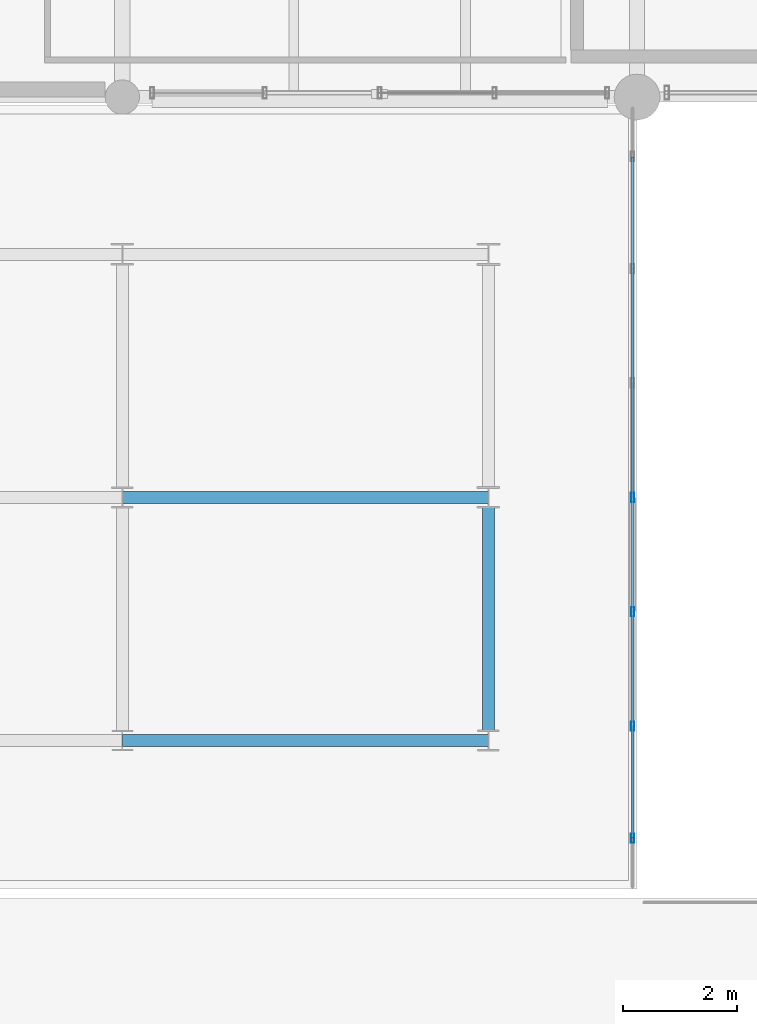
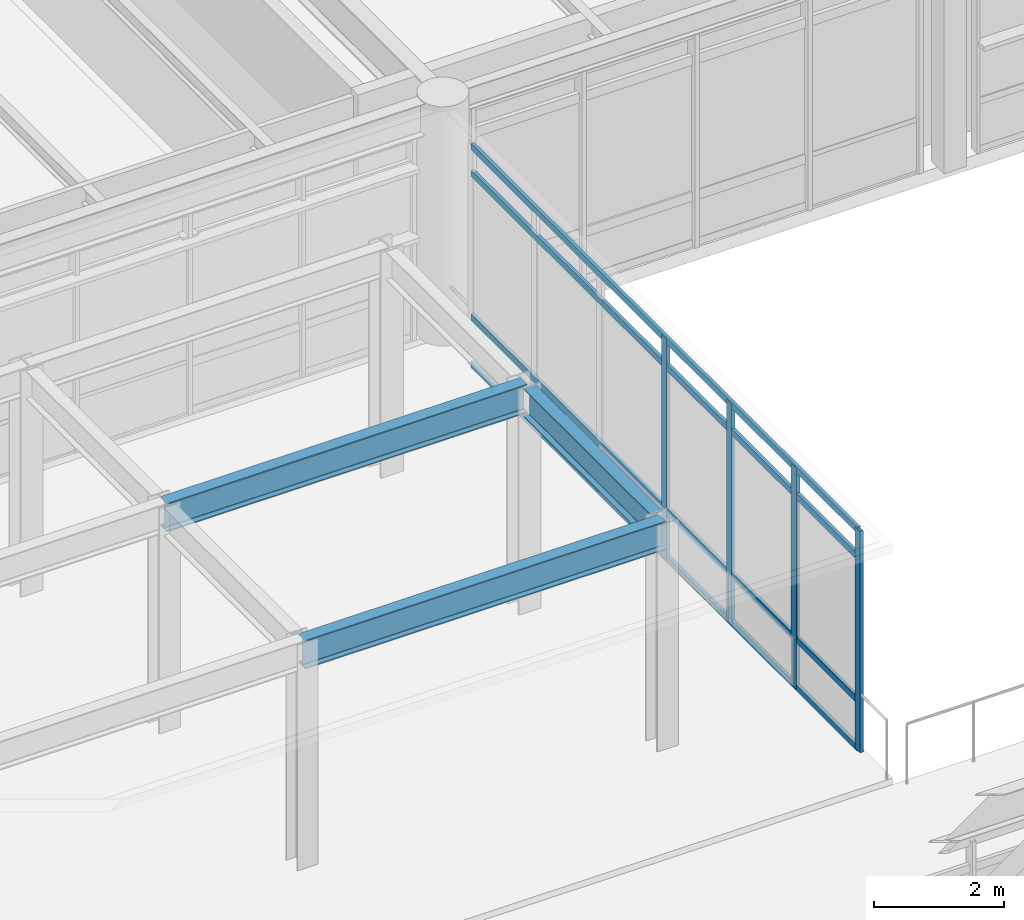
# One storey, part 74 of 200: 8 members, 3 beams, 1 element without a shape of its own.
"""IFC4 building model written with IfcOpenShell, lengths in metres."""

from ifc_helpers import new_model, si_unit, direction, frame, origin, origin_2d, place, context, subcontext, project, spatial, hollow_rectangle, i_section, extrude, material, material_profile, profile_set, type_object, element, aggregate, save


model = new_model("IFC4")

# Units and contexts
model_context = context("Model", 3, precision=1e-05, world=origin(), true_north=direction((0.0, 1.0)))
body_context = subcontext(model_context, "Body", "Model", "MODEL_VIEW")
ifc_project = project(units=[si_unit("LENGTHUNIT", "METRE"), si_unit("AREAUNIT", "SQUARE_METRE"), si_unit("VOLUMEUNIT", "CUBIC_METRE"), si_unit("PLANEANGLEUNIT", "RADIAN"), si_unit("MASSUNIT", "GRAM", prefix="KILO"), si_unit("THERMODYNAMICTEMPERATUREUNIT", "KELVIN"), si_unit("POWERUNIT", "WATT")], contexts=[model_context])

# Site, building, storey
site_placement = place(None, origin())
site = spatial("IfcSite", under=ifc_project, at=site_placement, CompositionType="ELEMENT")
building_placement = place(site_placement, origin())
building = spatial("IfcBuilding", under=site, at=building_placement, Name="Tepalcoro Natatorium and Aquatics Centre", CompositionType="ELEMENT")
storey_placement = place(building_placement, frame((0.0, 0.0, 5.39990234375)))
storey = spatial("IfcBuildingStorey", under=building, at=storey_placement, Name="L01", CompositionType="ELEMENT", Elevation=5.39990234375)

# Beams
ifc_material_1 = material(Name="Steel ASTM A992 Grade 50 (Fy 345 MPa)", Category="steel")
ifc_material_profile_1 = material_profile(ifc_material_1, i_section(OverallWidth=0.2109375, OverallDepth=0.5380859375, WebThickness=0.011962890625, FlangeThickness=0.01904296875, FilletRadius=0.013916015625, at=origin_2d()), Name="W21X73")
ifc_profile_set_1 = profile_set([ifc_material_profile_1], Name="Steel ASTM A992 Grade 50 (Fy 345 MPa)")
beam_type = type_object("IfcBeamType", Name="BM_LINK_LB1", PredefinedType="BEAM", material=ifc_profile_set_1)
for number, where, z_axis, x_axis, name in (
    (1, (62.0, 74.75, 3.9560546875), (1.0, 0.0, 0.0), (0.0, 1.0, 0.0), "Seismic passage link beam LB1 (V6NW L01)"),
    (2, (62.0, 79.0, 3.9560546875), (1.0, 0.0, 0.0), (0.0, 1.0, 0.0), "Seismic passage link beam LB1 (V6NW L01)"),
):
    element("IfcBeam", number, at=place(storey_placement, frame(where, z_axis=z_axis, x_axis=x_axis)), inside=storey, type_object=beam_type, Name=name, PredefinedType="BEAM", context=body_context, shape_type="SweptSolid", body=[
        extrude(i_section(OverallWidth=0.2109375, OverallDepth=0.5380859375, WebThickness=0.011962890625, FlangeThickness=0.01904296875, FilletRadius=0.013916015625, at=origin_2d()), origin(), (0.0, 0.0, 1.0), 6.39990234375),
    ])
beam_placement = place(storey_placement, frame((68.39990234375, 74.9130859375, 3.9560546875), z_axis=(0.0, 1.0, 0.0), x_axis=(-1.0, 0.0, 0.0)))
element("IfcBeam", 3, at=beam_placement, inside=storey, type_object=beam_type, Name="Seismic passage link beam LB1 (V6NW L01)", PredefinedType="BEAM", context=body_context, shape_type="SweptSolid", body=[
    extrude(i_section(OverallWidth=0.2109375, OverallDepth=0.5380859375, WebThickness=0.011962890625, FlangeThickness=0.01904296875, FilletRadius=0.013916015625, at=origin_2d()), origin(), (0.0, 0.0, 1.0), 3.919921875),
])

# Curtain wall, members
ifc_material_2 = material(Name="Bronze-Anodised Extruded Aluminium Alloy EN AW-6063 T6", Category="aluminium")
curtain_wall_type = type_object("IfcCurtainWallType", Name="CW_LINK_150", PredefinedType="USERDEFINED", material=ifc_material_2)
curtain_wall_placement = place(storey_placement, origin())
curtain_wall = element("IfcCurtainWall", 4, at=curtain_wall_placement, inside=storey, type_object=curtain_wall_type, Name="West Court Swimmers Arcade Glazed Wall E L01", ObjectType="UNITISED STOREFRONT", PredefinedType="USERDEFINED")
ifc_material_profile_2 = material_profile(ifc_material_2, hollow_rectangle(XDim=0.06005859375, YDim=0.159912109375, WallThickness=0.00390625, at=origin_2d()), Name="AL60X160X4")
ifc_profile_set_2 = profile_set([ifc_material_profile_2], Name="Bronze-Anodised Extruded Aluminium Alloy EN AW-6063 T6")
member_type_1 = type_object("IfcMemberType", Name="CW_MUL_60x160", PredefinedType="MULLION", material=ifc_profile_set_2)
member_1_placement = place(storey_placement, frame((70.919921875, 73.0400390625, 0.02001953125), z_axis=(0.0, 0.0, 1.0), x_axis=(1.0, 0.0, 0.0)))
member_1 = element("IfcMember", 5, at=member_1_placement, type_object=member_type_1, Name="CW_LINK_150 Curtain Wall Mullion", PredefinedType="MULLION", context=body_context, shape_type="SweptSolid", body=[
    extrude(hollow_rectangle(XDim=0.06005859375, YDim=0.159912109375, WallThickness=0.00390625, at=origin_2d()), origin(), (0.0, 0.0, 1.0), 4.16015625),
])
member_2_placement = place(storey_placement, frame((70.919921875, 75.0, 0.02001953125), z_axis=(0.0, 0.0, 1.0), x_axis=(1.0, 0.0, 0.0)))
member_2 = element("IfcMember", 6, at=member_2_placement, type_object=member_type_1, Name="CW_LINK_150 Curtain Wall Mullion", PredefinedType="MULLION", context=body_context, shape_type="SweptSolid", body=[
    extrude(hollow_rectangle(XDim=0.06005859375, YDim=0.159912109375, WallThickness=0.00390625, at=origin_2d()), origin(), (0.0, 0.0, 1.0), 4.16015625),
])
member_3_placement = place(storey_placement, frame((70.919921875, 77.0, 0.02001953125), z_axis=(0.0, 0.0, 1.0), x_axis=(1.0, 0.0, 0.0)))
member_3 = element("IfcMember", 7, at=member_3_placement, type_object=member_type_1, Name="CW_LINK_150 Curtain Wall Mullion", PredefinedType="MULLION", context=body_context, shape_type="SweptSolid", body=[
    extrude(hollow_rectangle(XDim=0.06005859375, YDim=0.159912109375, WallThickness=0.00390625, at=origin_2d()), origin(), (0.0, 0.0, 1.0), 4.16015625),
])
member_4_placement = place(storey_placement, frame((70.919921875, 79.0, 0.02001953125), z_axis=(0.0, 0.0, 1.0), x_axis=(1.0, 0.0, 0.0)))
member_4 = element("IfcMember", 8, at=member_4_placement, type_object=member_type_1, Name="CW_LINK_150 Curtain Wall Mullion", PredefinedType="MULLION", context=body_context, shape_type="SweptSolid", body=[
    extrude(hollow_rectangle(XDim=0.06005859375, YDim=0.159912109375, WallThickness=0.00390625, at=origin_2d()), origin(), (0.0, 0.0, 1.0), 4.16015625),
])
ifc_material_profile_3 = material_profile(ifc_material_2, hollow_rectangle(XDim=0.06005859375, YDim=0.1201171875, WallThickness=0.00390625, at=origin_2d()), Name="AL60X120X4")
ifc_profile_set_3 = profile_set([ifc_material_profile_3], Name="Bronze-Anodised Extruded Aluminium Alloy EN AW-6063 T6")
member_type_2 = type_object("IfcMemberType", Name="CW_TRN_60x120", PredefinedType="USERDEFINED", material=ifc_profile_set_3)
member_5_placement = place(storey_placement, frame((70.919921875, 73.050048828125, 0.050048828125), z_axis=(0.0, 1.0, 0.0), x_axis=(-1.0, 0.0, 0.0)))
member_5 = element("IfcMember", 9, at=member_5_placement, type_object=member_type_2, Name="CW_LINK_150 Curtain Wall Transom", ObjectType="TRANSOM", PredefinedType="USERDEFINED", context=body_context, shape_type="SweptSolid", body=[
    extrude(hollow_rectangle(XDim=0.06005859375, YDim=0.1201171875, WallThickness=0.00390625, at=origin_2d()), origin(), (0.0, 0.0, 1.0), 11.89990234375),
])
member_6_placement = place(storey_placement, frame((70.919921875, 73.050048828125, 0.9501953125), z_axis=(0.0, 1.0, 0.0), x_axis=(-1.0, 0.0, 0.0)))
member_6 = element("IfcMember", 10, at=member_6_placement, type_object=member_type_2, Name="CW_LINK_150 Curtain Wall Transom", ObjectType="TRANSOM", PredefinedType="USERDEFINED", context=body_context, shape_type="SweptSolid", body=[
    extrude(hollow_rectangle(XDim=0.06005859375, YDim=0.1201171875, WallThickness=0.00390625, at=origin_2d()), origin(), (0.0, 0.0, 1.0), 11.89990234375),
])
member_7_placement = place(storey_placement, frame((70.919921875, 73.050048828125, 3.650146484375), z_axis=(0.0, 1.0, 0.0), x_axis=(-1.0, 0.0, 0.0)))
member_7 = element("IfcMember", 11, at=member_7_placement, type_object=member_type_2, Name="CW_LINK_150 Curtain Wall Transom", ObjectType="TRANSOM", PredefinedType="USERDEFINED", context=body_context, shape_type="SweptSolid", body=[
    extrude(hollow_rectangle(XDim=0.06005859375, YDim=0.1201171875, WallThickness=0.00390625, at=origin_2d()), origin(), (0.0, 0.0, 1.0), 11.89990234375),
])
member_8_placement = place(storey_placement, frame((70.919921875, 73.050048828125, 4.150146484375), z_axis=(0.0, 1.0, 0.0), x_axis=(-1.0, 0.0, 0.0)))
member_8 = element("IfcMember", 12, at=member_8_placement, type_object=member_type_2, Name="CW_LINK_150 Curtain Wall Transom", ObjectType="TRANSOM", PredefinedType="USERDEFINED", context=body_context, shape_type="SweptSolid", body=[
    extrude(hollow_rectangle(XDim=0.06005859375, YDim=0.1201171875, WallThickness=0.00390625, at=origin_2d()), origin(), (0.0, 0.0, 1.0), 11.89990234375),
])
aggregate(curtain_wall, [member_1, member_2, member_3, member_4, member_5, member_6, member_7, member_8])

save(model, "model.ifc")
